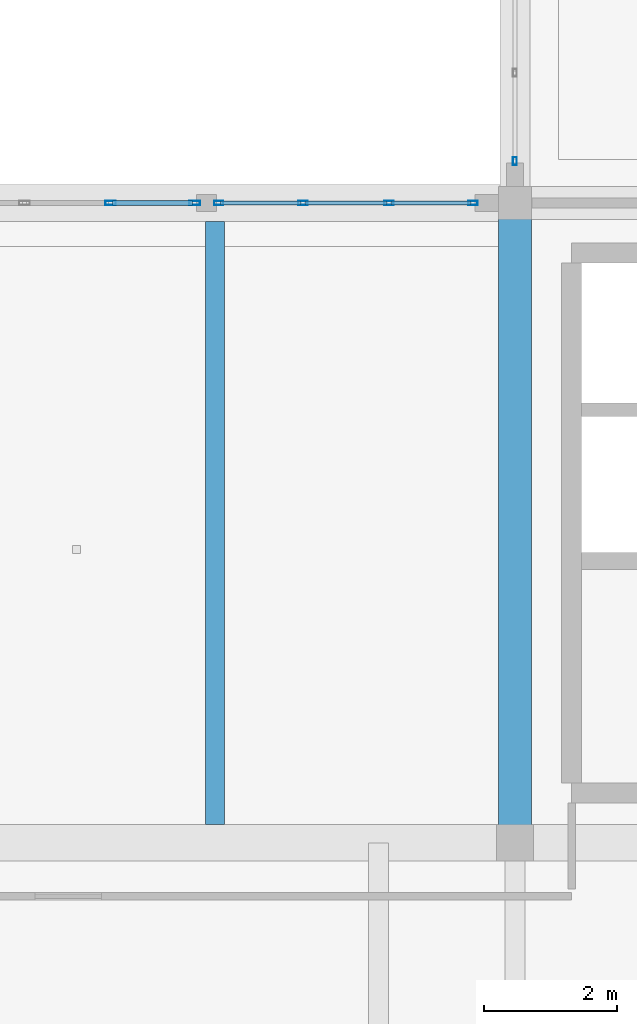
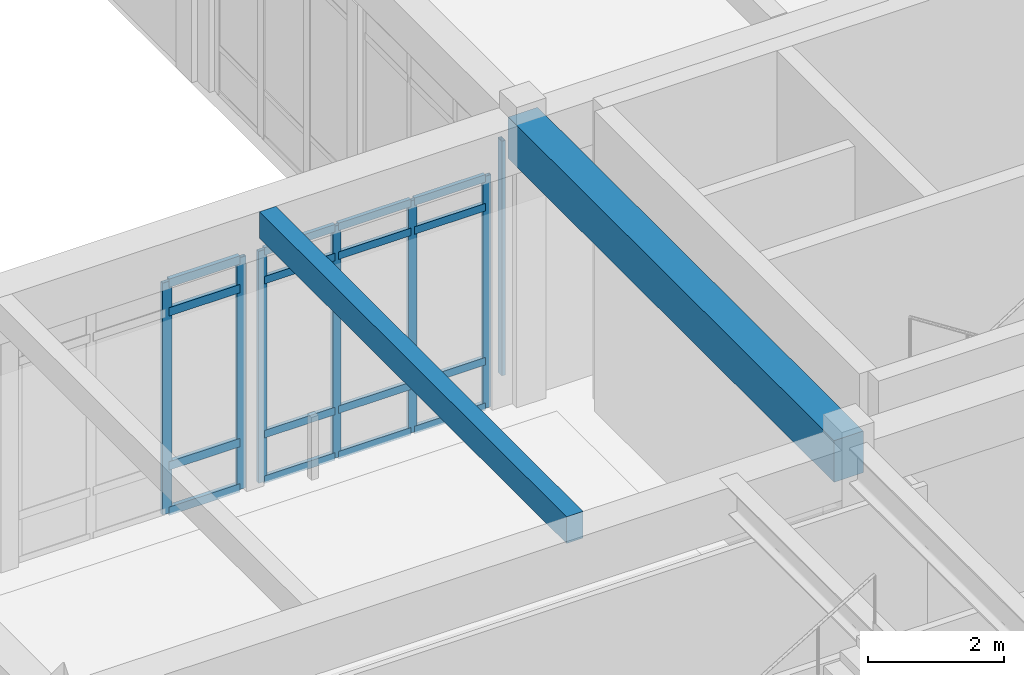
# One storey, part 9 of 138: 23 members, 2 beams, 3 elements without a shape of their own.
"""IFC4 building model written with IfcOpenShell, lengths in metres."""

from ifc_helpers import new_model, si_unit, direction, frame, origin, origin_2d, place, context, subcontext, project, spatial, rectangle, hollow_rectangle, extrude, material, layer, layer_set, material_profile, profile_set, type_object, element, aggregate, save


model = new_model("IFC4")

# Units and contexts
model_context = context("Model", 3, precision=1e-05, world=origin(), true_north=direction((0.0, 1.0)))
body_context = subcontext(model_context, "Body", "Model", "MODEL_VIEW")
ifc_project = project(units=[si_unit("LENGTHUNIT", "METRE"), si_unit("AREAUNIT", "SQUARE_METRE"), si_unit("VOLUMEUNIT", "CUBIC_METRE"), si_unit("PLANEANGLEUNIT", "RADIAN"), si_unit("MASSUNIT", "GRAM", prefix="KILO")], contexts=[model_context])

# Site, building, storey
site_placement = place(None, origin())
site = spatial("IfcSite", under=ifc_project, at=site_placement, CompositionType="ELEMENT")
building_placement = place(site_placement, origin())
building = spatial("IfcBuilding", under=site, at=building_placement, Name="Fikremerkos Civic Library", CompositionType="ELEMENT")
storey_placement = place(building_placement, origin())
storey = spatial("IfcBuildingStorey", under=building, at=storey_placement, Name="L00", CompositionType="ELEMENT", Elevation=0.0)

# Curtain wall, members
ifc_material_1 = material(Name="Anodized aluminium Frame", Category="aluminium")
ifc_layer_1 = layer(ifc_material_1, 0.159912109375, Name="Anodized aluminium Frame")
ifc_layer_set_1 = layer_set([ifc_layer_1], Name="Anodized aluminium Frame")
curtain_wall_type_1 = type_object("IfcCurtainWallType", Name="Unitised curtain wall CW-10 4000x3400", PredefinedType="USERDEFINED", material=ifc_layer_set_1)
curtain_wall_1_placement = place(storey_placement, origin())
curtain_wall_1 = element("IfcCurtainWall", 1, at=curtain_wall_1_placement, inside=storey, type_object=curtain_wall_type_1, Name="Unitised curtain wall CW-10 L00 #10", ObjectType="UNITISED CURTAIN WALL", PredefinedType="USERDEFINED")
ifc_material_profile_1 = material_profile(ifc_material_1, hollow_rectangle(XDim=0.06005859375, YDim=0.159912109375, WallThickness=0.00390625, at=origin_2d()), Name="ALU 160x60x4")
ifc_profile_set_1 = profile_set([ifc_material_profile_1], Name="Anodized aluminium Frame")
member_type_1 = type_object("IfcMemberType", Name="Curtain mullion CWM-02 ALU 160x60x4", PredefinedType="MULLION", material=ifc_profile_set_1)
member_1_placement = place(storey_placement, frame((40.133544921875, 31.199951171875, 0.0), z_axis=(0.0, 0.0, 1.0), x_axis=(0.0, 1.0, 0.0)))
member_1 = element("IfcMember", 2, at=member_1_placement, type_object=member_type_1, Name="CW-10 mullion 3", PredefinedType="MULLION", context=body_context, shape_type="SweptSolid", body=[
    extrude(hollow_rectangle(XDim=0.06005859375, YDim=0.159912109375, WallThickness=0.00390625, at=origin_2d()), origin(), (0.0, 0.0, 1.0), 4.169921875),
])
member_2_placement = place(storey_placement, frame((41.395751953125, 31.199951171875, 0.0), z_axis=(0.0, 0.0, 1.0), x_axis=(0.0, 1.0, 0.0)))
member_2 = element("IfcMember", 3, at=member_2_placement, type_object=member_type_1, Name="CW-10 mullion 4", PredefinedType="MULLION", context=body_context, shape_type="SweptSolid", body=[
    extrude(hollow_rectangle(XDim=0.06005859375, YDim=0.159912109375, WallThickness=0.00390625, at=origin_2d()), origin(), (0.0, 0.0, 1.0), 4.169921875),
])

ifc_layer_2 = layer(ifc_material_1, 0.159912109375, Name="Anodized aluminium Frame")
ifc_layer_set_2 = layer_set([ifc_layer_2], Name="Anodized aluminium Frame")
curtain_wall_type_2 = type_object("IfcCurtainWallType", Name="Unitised curtain wall CW-11 3200x3400", PredefinedType="USERDEFINED", material=ifc_layer_set_2)
curtain_wall_2_placement = place(storey_placement, origin())
curtain_wall_2 = element("IfcCurtainWall", 4, at=curtain_wall_2_placement, inside=storey, type_object=curtain_wall_type_2, Name="Unitised curtain wall CW-11 L00 #11", ObjectType="UNITISED CURTAIN WALL", PredefinedType="USERDEFINED")
ifc_material_profile_2 = material_profile(ifc_material_1, hollow_rectangle(XDim=0.06005859375, YDim=0.139892578125, WallThickness=0.00390625, at=origin_2d()), Name="ALU 140x60x4")
ifc_profile_set_2 = profile_set([ifc_material_profile_2], Name="Anodized aluminium Frame")
member_type_2 = type_object("IfcMemberType", Name="Curtain mullion CWM-03 ALU 140x60x4", PredefinedType="MULLION", material=ifc_profile_set_2)
member_3_placement = place(storey_placement, frame((41.755615234375, 31.199951171875, 0.0), z_axis=(0.0, 0.0, 1.0), x_axis=(0.0, 1.0, 0.0)))
member_3 = element("IfcMember", 5, at=member_3_placement, type_object=member_type_2, Name="CW-11 mullion 1", PredefinedType="MULLION", context=body_context, shape_type="SweptSolid", body=[
    extrude(hollow_rectangle(XDim=0.06005859375, YDim=0.139892578125, WallThickness=0.00390625, at=origin_2d()), origin(), (0.0, 0.0, 1.0), 4.169921875),
])
member_4_placement = place(storey_placement, frame((43.017822265625, 31.199951171875, 0.0), z_axis=(0.0, 0.0, 1.0), x_axis=(0.0, 1.0, 0.0)))
member_4 = element("IfcMember", 6, at=member_4_placement, type_object=member_type_2, Name="CW-11 mullion 2", PredefinedType="MULLION", context=body_context, shape_type="SweptSolid", body=[
    extrude(hollow_rectangle(XDim=0.06005859375, YDim=0.139892578125, WallThickness=0.00390625, at=origin_2d()), origin(), (0.0, 0.0, 1.0), 4.169921875),
])
member_5_placement = place(storey_placement, frame((44.309814453125, 31.199951171875, 0.0), z_axis=(0.0, 0.0, 1.0), x_axis=(0.0, 1.0, 0.0)))
member_5 = element("IfcMember", 7, at=member_5_placement, type_object=member_type_2, Name="CW-11 mullion 3", PredefinedType="MULLION", context=body_context, shape_type="SweptSolid", body=[
    extrude(hollow_rectangle(XDim=0.06005859375, YDim=0.139892578125, WallThickness=0.00390625, at=origin_2d()), origin(), (0.0, 0.0, 1.0), 4.169921875),
])
member_6_placement = place(storey_placement, frame((45.572021484375, 31.199951171875, 0.0), z_axis=(0.0, 0.0, 1.0), x_axis=(0.0, 1.0, 0.0)))
member_6 = element("IfcMember", 8, at=member_6_placement, type_object=member_type_2, Name="CW-11 mullion 4", PredefinedType="MULLION", context=body_context, shape_type="SweptSolid", body=[
    extrude(hollow_rectangle(XDim=0.06005859375, YDim=0.139892578125, WallThickness=0.00390625, at=origin_2d()), origin(), (0.0, 0.0, 1.0), 4.169921875),
])

# Curtain wall, member
ifc_layer_3 = layer(ifc_material_1, 0.159912109375, Name="Anodized aluminium Frame")
ifc_layer_set_3 = layer_set([ifc_layer_3], Name="Anodized aluminium Frame")
curtain_wall_type_3 = type_object("IfcCurtainWallType", Name="Unitised curtain wall CW-12 4300x3400", PredefinedType="USERDEFINED", material=ifc_layer_set_3)
curtain_wall_3_placement = place(storey_placement, origin())
curtain_wall_3 = element("IfcCurtainWall", 9, at=curtain_wall_3_placement, inside=storey, type_object=curtain_wall_type_3, Name="Unitised curtain wall CW-12 L00 #12", ObjectType="UNITISED CURTAIN WALL", PredefinedType="USERDEFINED")
ifc_material_profile_3 = material_profile(ifc_material_1, hollow_rectangle(XDim=0.06005859375, YDim=0.1201171875, WallThickness=0.00390625, at=origin_2d()), Name="ALU 120x60x4")
ifc_profile_set_3 = profile_set([ifc_material_profile_3], Name="Anodized aluminium Frame")
member_type_3 = type_object("IfcMemberType", Name="Curtain mullion CWM-04 ALU 120x60x4", PredefinedType="MULLION", material=ifc_profile_set_3)
member_7_placement = place(storey_placement, frame((46.199951171875, 31.827880859375, 0.0), z_axis=(0.0, 0.0, 1.0), x_axis=(-1.0, 0.0, 0.0)))
member_7 = element("IfcMember", 10, at=member_7_placement, type_object=member_type_3, Name="CW-12 mullion 1", PredefinedType="MULLION", context=body_context, shape_type="SweptSolid", body=[
    extrude(hollow_rectangle(XDim=0.06005859375, YDim=0.1201171875, WallThickness=0.00390625, at=origin_2d()), origin(), (0.0, 0.0, 1.0), 4.219970703125),
])
aggregate(curtain_wall_3, [member_7])

# Member
ifc_material_profile_4 = material_profile(ifc_material_1, hollow_rectangle(XDim=0.070068359375, YDim=0.14990234375, WallThickness=0.00439453125, at=origin_2d()), Name="ALU 150x70x4.5")
ifc_profile_set_4 = profile_set([ifc_material_profile_4], Name="Anodized aluminium Frame")
member_type_4 = type_object("IfcMemberType", Name="Curtain transom CWT-01 ALU 150x70x4.5", PredefinedType="USERDEFINED", material=ifc_profile_set_4)
member_8_placement = place(storey_placement, frame((40.16357421875, 31.199951171875, 0.034912109375), z_axis=(1.0, 0.0, 0.0), x_axis=(0.0, 1.0, 0.0)))
member_8 = element("IfcMember", 11, at=member_8_placement, type_object=member_type_4, Name="CW-10 transom 3.1", ObjectType="TRANSOM", PredefinedType="USERDEFINED", context=body_context, shape_type="SweptSolid", body=[
    extrude(hollow_rectangle(XDim=0.070068359375, YDim=0.14990234375, WallThickness=0.00439453125, at=origin_2d()), origin(), (0.0, 0.0, 1.0), 1.2021484375),
])

member_9_placement = place(storey_placement, frame((40.16357421875, 31.199951171875, 0.85009765625), z_axis=(1.0, 0.0, 0.0), x_axis=(0.0, 1.0, 0.0)))
member_9 = element("IfcMember", 12, at=member_9_placement, type_object=member_type_4, Name="CW-10 transom 3.2", ObjectType="TRANSOM", PredefinedType="USERDEFINED", context=body_context, shape_type="SweptSolid", body=[
    extrude(hollow_rectangle(XDim=0.070068359375, YDim=0.14990234375, WallThickness=0.00439453125, at=origin_2d()), origin(), (0.0, 0.0, 1.0), 1.2021484375),
])

member_10_placement = place(storey_placement, frame((40.16357421875, 31.199951171875, 3.6201171875), z_axis=(1.0, 0.0, 0.0), x_axis=(0.0, 1.0, 0.0)))
member_10 = element("IfcMember", 13, at=member_10_placement, type_object=member_type_4, Name="CW-10 transom 3.3", ObjectType="TRANSOM", PredefinedType="USERDEFINED", context=body_context, shape_type="SweptSolid", body=[
    extrude(hollow_rectangle(XDim=0.070068359375, YDim=0.14990234375, WallThickness=0.00439453125, at=origin_2d()), origin(), (0.0, 0.0, 1.0), 1.2021484375),
])

member_11_placement = place(storey_placement, frame((40.16357421875, 31.199951171875, 4.135009765625), z_axis=(1.0, 0.0, 0.0), x_axis=(0.0, 1.0, 0.0)))
member_11 = element("IfcMember", 14, at=member_11_placement, type_object=member_type_4, Name="CW-10 transom 3.4", ObjectType="TRANSOM", PredefinedType="USERDEFINED", context=body_context, shape_type="SweptSolid", body=[
    extrude(hollow_rectangle(XDim=0.070068359375, YDim=0.14990234375, WallThickness=0.00439453125, at=origin_2d()), origin(), (0.0, 0.0, 1.0), 1.2021484375),
])

aggregate(curtain_wall_1, [member_1, member_2, member_8, member_9, member_10, member_11])

ifc_material_profile_5 = material_profile(ifc_material_1, hollow_rectangle(XDim=0.06494140625, YDim=0.135009765625, WallThickness=0.00439453125, at=origin_2d()), Name="ALU 135x65x4.5")
ifc_profile_set_5 = profile_set([ifc_material_profile_5], Name="Anodized aluminium Frame")
member_type_5 = type_object("IfcMemberType", Name="Curtain transom CWT-02 ALU 135x65x4.5", PredefinedType="USERDEFINED", material=ifc_profile_set_5)
member_12_placement = place(storey_placement, frame((41.78564453125, 31.199951171875, 0.032470703125), z_axis=(1.0, 0.0, 0.0), x_axis=(0.0, 1.0, 0.0)))
member_12 = element("IfcMember", 15, at=member_12_placement, type_object=member_type_5, Name="CW-11 transom 1.1", ObjectType="TRANSOM", PredefinedType="USERDEFINED", context=body_context, shape_type="SweptSolid", body=[
    extrude(hollow_rectangle(XDim=0.06494140625, YDim=0.135009765625, WallThickness=0.00439453125, at=origin_2d()), origin(), (0.0, 0.0, 1.0), 1.2021484375),
])

member_13_placement = place(storey_placement, frame((41.78564453125, 31.199951171875, 0.85009765625), z_axis=(1.0, 0.0, 0.0), x_axis=(0.0, 1.0, 0.0)))
member_13 = element("IfcMember", 16, at=member_13_placement, type_object=member_type_5, Name="CW-11 transom 1.2", ObjectType="TRANSOM", PredefinedType="USERDEFINED", context=body_context, shape_type="SweptSolid", body=[
    extrude(hollow_rectangle(XDim=0.06494140625, YDim=0.135009765625, WallThickness=0.00439453125, at=origin_2d()), origin(), (0.0, 0.0, 1.0), 1.2021484375),
])

member_14_placement = place(storey_placement, frame((41.78564453125, 31.199951171875, 3.6201171875), z_axis=(1.0, 0.0, 0.0), x_axis=(0.0, 1.0, 0.0)))
member_14 = element("IfcMember", 17, at=member_14_placement, type_object=member_type_5, Name="CW-11 transom 1.3", ObjectType="TRANSOM", PredefinedType="USERDEFINED", context=body_context, shape_type="SweptSolid", body=[
    extrude(hollow_rectangle(XDim=0.06494140625, YDim=0.135009765625, WallThickness=0.00439453125, at=origin_2d()), origin(), (0.0, 0.0, 1.0), 1.2021484375),
])

member_15_placement = place(storey_placement, frame((41.78564453125, 31.199951171875, 4.137451171875), z_axis=(1.0, 0.0, 0.0), x_axis=(0.0, 1.0, 0.0)))
member_15 = element("IfcMember", 18, at=member_15_placement, type_object=member_type_5, Name="CW-11 transom 1.4", ObjectType="TRANSOM", PredefinedType="USERDEFINED", context=body_context, shape_type="SweptSolid", body=[
    extrude(hollow_rectangle(XDim=0.06494140625, YDim=0.135009765625, WallThickness=0.00439453125, at=origin_2d()), origin(), (0.0, 0.0, 1.0), 1.2021484375),
])

member_16_placement = place(storey_placement, frame((43.0478515625, 31.199951171875, 0.032470703125), z_axis=(1.0, 0.0, 0.0), x_axis=(0.0, 1.0, 0.0)))
member_16 = element("IfcMember", 19, at=member_16_placement, type_object=member_type_5, Name="CW-11 transom 2.1", ObjectType="TRANSOM", PredefinedType="USERDEFINED", context=body_context, shape_type="SweptSolid", body=[
    extrude(hollow_rectangle(XDim=0.06494140625, YDim=0.135009765625, WallThickness=0.00439453125, at=origin_2d()), origin(), (0.0, 0.0, 1.0), 1.23193359375),
])

member_17_placement = place(storey_placement, frame((43.0478515625, 31.199951171875, 0.85009765625), z_axis=(1.0, 0.0, 0.0), x_axis=(0.0, 1.0, 0.0)))
member_17 = element("IfcMember", 20, at=member_17_placement, type_object=member_type_5, Name="CW-11 transom 2.2", ObjectType="TRANSOM", PredefinedType="USERDEFINED", context=body_context, shape_type="SweptSolid", body=[
    extrude(hollow_rectangle(XDim=0.06494140625, YDim=0.135009765625, WallThickness=0.00439453125, at=origin_2d()), origin(), (0.0, 0.0, 1.0), 1.23193359375),
])

member_18_placement = place(storey_placement, frame((43.0478515625, 31.199951171875, 3.6201171875), z_axis=(1.0, 0.0, 0.0), x_axis=(0.0, 1.0, 0.0)))
member_18 = element("IfcMember", 21, at=member_18_placement, type_object=member_type_5, Name="CW-11 transom 2.3", ObjectType="TRANSOM", PredefinedType="USERDEFINED", context=body_context, shape_type="SweptSolid", body=[
    extrude(hollow_rectangle(XDim=0.06494140625, YDim=0.135009765625, WallThickness=0.00439453125, at=origin_2d()), origin(), (0.0, 0.0, 1.0), 1.23193359375),
])

member_19_placement = place(storey_placement, frame((43.0478515625, 31.199951171875, 4.137451171875), z_axis=(1.0, 0.0, 0.0), x_axis=(0.0, 1.0, 0.0)))
member_19 = element("IfcMember", 22, at=member_19_placement, type_object=member_type_5, Name="CW-11 transom 2.4", ObjectType="TRANSOM", PredefinedType="USERDEFINED", context=body_context, shape_type="SweptSolid", body=[
    extrude(hollow_rectangle(XDim=0.06494140625, YDim=0.135009765625, WallThickness=0.00439453125, at=origin_2d()), origin(), (0.0, 0.0, 1.0), 1.23193359375),
])

member_20_placement = place(storey_placement, frame((44.33984375, 31.199951171875, 0.032470703125), z_axis=(1.0, 0.0, 0.0), x_axis=(0.0, 1.0, 0.0)))
member_20 = element("IfcMember", 23, at=member_20_placement, type_object=member_type_5, Name="CW-11 transom 3.1", ObjectType="TRANSOM", PredefinedType="USERDEFINED", context=body_context, shape_type="SweptSolid", body=[
    extrude(hollow_rectangle(XDim=0.06494140625, YDim=0.135009765625, WallThickness=0.00439453125, at=origin_2d()), origin(), (0.0, 0.0, 1.0), 1.2021484375),
])

member_21_placement = place(storey_placement, frame((44.33984375, 31.199951171875, 0.85009765625), z_axis=(1.0, 0.0, 0.0), x_axis=(0.0, 1.0, 0.0)))
member_21 = element("IfcMember", 24, at=member_21_placement, type_object=member_type_5, Name="CW-11 transom 3.2", ObjectType="TRANSOM", PredefinedType="USERDEFINED", context=body_context, shape_type="SweptSolid", body=[
    extrude(hollow_rectangle(XDim=0.06494140625, YDim=0.135009765625, WallThickness=0.00439453125, at=origin_2d()), origin(), (0.0, 0.0, 1.0), 1.2021484375),
])

member_22_placement = place(storey_placement, frame((44.33984375, 31.199951171875, 3.6201171875), z_axis=(1.0, 0.0, 0.0), x_axis=(0.0, 1.0, 0.0)))
member_22 = element("IfcMember", 25, at=member_22_placement, type_object=member_type_5, Name="CW-11 transom 3.3", ObjectType="TRANSOM", PredefinedType="USERDEFINED", context=body_context, shape_type="SweptSolid", body=[
    extrude(hollow_rectangle(XDim=0.06494140625, YDim=0.135009765625, WallThickness=0.00439453125, at=origin_2d()), origin(), (0.0, 0.0, 1.0), 1.2021484375),
])

member_23_placement = place(storey_placement, frame((44.33984375, 31.199951171875, 4.137451171875), z_axis=(1.0, 0.0, 0.0), x_axis=(0.0, 1.0, 0.0)))
member_23 = element("IfcMember", 26, at=member_23_placement, type_object=member_type_5, Name="CW-11 transom 3.4", ObjectType="TRANSOM", PredefinedType="USERDEFINED", context=body_context, shape_type="SweptSolid", body=[
    extrude(hollow_rectangle(XDim=0.06494140625, YDim=0.135009765625, WallThickness=0.00439453125, at=origin_2d()), origin(), (0.0, 0.0, 1.0), 1.2021484375),
])

aggregate(curtain_wall_2, [member_3, member_4, member_5, member_6, member_12, member_13, member_14, member_15, member_16, member_17, member_18, member_19, member_20, member_21, member_22, member_23])

# Beams
ifc_material_2 = material(Name="Concrete C40/50", Category="concrete")
ifc_material_profile_6 = material_profile(ifc_material_2, rectangle(XDim=0.280029296875, YDim=0.47998046875, at=origin_2d()), Name="RC 280x480")
ifc_profile_set_6 = profile_set([ifc_material_profile_6], Name="Concrete C40/50")
beam_type_1 = type_object("IfcBeamType", Name="Floor joist JS-04 RC 280x480", PredefinedType="JOIST", material=ifc_profile_set_6)
beam_1_placement = place(storey_placement, frame((41.699951171875, 21.875, 4.840087890625), z_axis=(0.0, 1.0, 0.0), x_axis=(-1.0, 0.0, 0.0)))
element("IfcBeam", 27, at=beam_1_placement, inside=storey, type_object=beam_type_1, Name="Floor joist JS-04 L00 #303", PredefinedType="JOIST", context=body_context, shape_type="SweptSolid", body=[
    extrude(rectangle(XDim=0.280029296875, YDim=0.47998046875, at=origin_2d()), origin(), (0.0, 0.0, 1.0), 9.050048828125),
])
ifc_material_profile_7 = material_profile(ifc_material_2, rectangle(XDim=0.5, YDim=0.75, at=origin_2d()), Name="RC 500x750")
ifc_profile_set_7 = profile_set([ifc_material_profile_7], Name="Concrete C40/50")
beam_type_2 = type_object("IfcBeamType", Name="Primary girder BM-05 RC 500x750", PredefinedType="BEAM", material=ifc_profile_set_7)
beam_2_placement = place(storey_placement, frame((46.199951171875, 21.60009765625, 4.705078125), z_axis=(0.0, 1.0, 0.0), x_axis=(-1.0, 0.0, 0.0)))
element("IfcBeam", 28, at=beam_2_placement, inside=storey, type_object=beam_type_2, Name="Primary girder BM-05 L00 grid 5", PredefinedType="BEAM", context=body_context, shape_type="SweptSolid", body=[
    extrude(rectangle(XDim=0.5, YDim=0.75, at=origin_2d()), origin(), (0.0, 0.0, 1.0), 9.599853515625),
])

save(model, "model.ifc")
